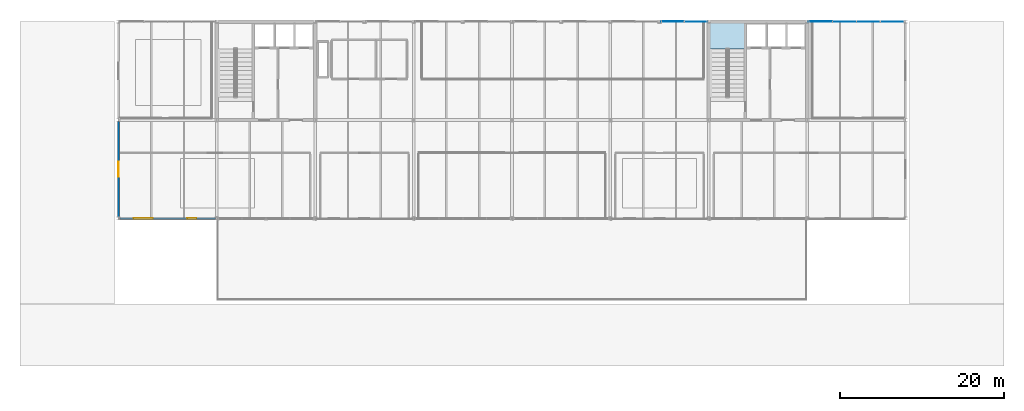
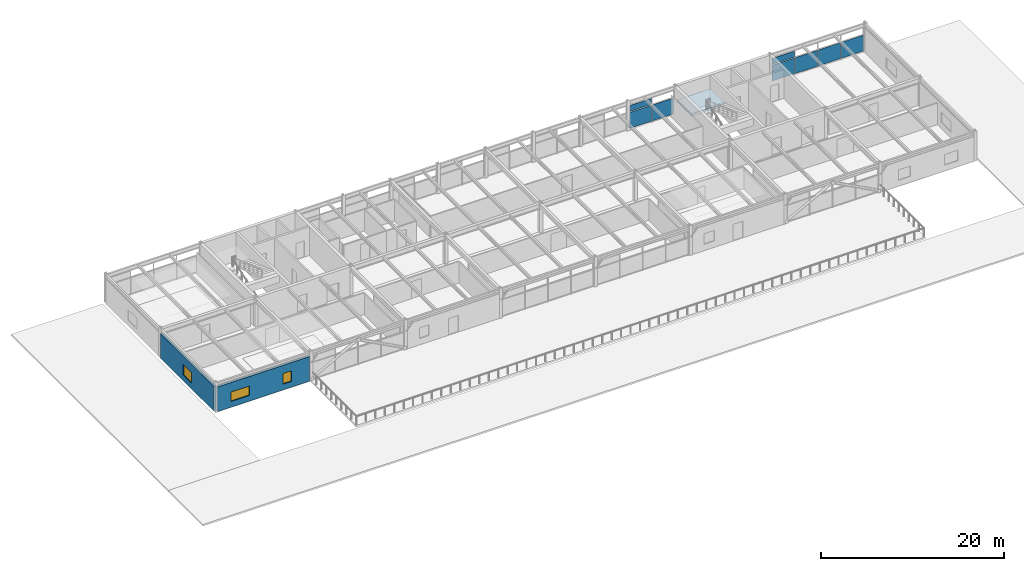
# One storey, part 22 of 30: 8 plates, 3 windows, 2 walls, 1 slab, 3 openings, 3 elements without a shape of their own.
"""IFC4 building model written with IfcOpenShell, lengths in metres."""

from ifc_helpers import new_model, si_unit, direction, frame, frame_2d, origin, origin_2d, place, context, subcontext, project, spatial, polyline, rectangle, outline, extrude, material, layer, layer_set, type_object, element, fill, aggregate, save


model = new_model("IFC4")

# Units and contexts
model_context = context("Model", 3, precision=1e-05, world=origin(), true_north=direction((0.0, 1.0)))
body_context = subcontext(model_context, "Body", "Model", "MODEL_VIEW")
ifc_project = project(units=[si_unit("LENGTHUNIT", "METRE"), si_unit("AREAUNIT", "SQUARE_METRE"), si_unit("VOLUMEUNIT", "CUBIC_METRE"), si_unit("PLANEANGLEUNIT", "RADIAN"), si_unit("MASSUNIT", "GRAM", prefix="KILO")], contexts=[model_context])

# Site, building, storey
site_placement = place(None, origin())
site = spatial("IfcSite", under=ifc_project, at=site_placement, CompositionType="ELEMENT")
building_placement = place(site_placement, origin())
building = spatial("IfcBuilding", under=site, at=building_placement, Name="Girod Span Mobility Hub", CompositionType="ELEMENT")
storey_placement = place(building_placement, frame((0.0, 0.0, 49.60009765625)))
storey = spatial("IfcBuildingStorey", under=building, at=storey_placement, Name="L12", CompositionType="ELEMENT", Elevation=49.60009765625)

# Curtain wall, plate
ifc_material_1 = material(Name="Thermally Broken Anodised Aluminium", Category="aluminium")
curtain_wall_type_1 = type_object("IfcCurtainWallType", Name="CW-562X330", PredefinedType="USERDEFINED", material=ifc_material_1)
curtain_wall_1_placement = place(storey_placement, origin())
curtain_wall_1 = element("IfcCurtainWall", 1, at=curtain_wall_1_placement, inside=storey, type_object=curtain_wall_type_1, Name="Unitised Curtain Wall CW-L12-N09E L12", ObjectType="UNITISED CURTAIN WALL", PredefinedType="USERDEFINED")
ifc_material_2 = material(Name="Double Low-E Insulated Glazing", Category="glass")
ifc_layer_1 = layer(ifc_material_2, 0.0380859375)
ifc_layer_set_1 = layer_set([ifc_layer_1], Name="Double Low-E Insulated Glazing")
plate_type_1 = type_object("IfcPlateType", Name="PLT-SPN-2741X844X38", PredefinedType="CURTAIN_PANEL", material=ifc_layer_set_1)
plate_1_placement = place(storey_placement, frame((103.6005859375, 69.0, 2.376708984375), z_axis=(0.0, 0.0, 1.0), x_axis=(1.0, 0.0, 0.0)))
plate_1 = element("IfcPlate", 2, at=plate_1_placement, type_object=plate_type_1, Name="Spandrel Glazing Panel CW-L12-N09E-S1", PredefinedType="CURTAIN_PANEL", context=body_context, shape_type="SweptSolid", body=[
    extrude(rectangle(XDim=2.747314453125, YDim=0.0380859375, at=origin_2d()), origin(), (0.0, 0.0, 1.0), 0.80419921875),
])

ifc_material_3 = material(Name="Thermally Broken Anodised Aluminium", Category="aluminium")
curtain_wall_type_2 = type_object("IfcCurtainWallType", Name="CW-1164X330", PredefinedType="USERDEFINED", material=ifc_material_3)
curtain_wall_2_placement = place(storey_placement, origin())
curtain_wall_2 = element("IfcCurtainWall", 3, at=curtain_wall_2_placement, inside=storey, type_object=curtain_wall_type_2, Name="Unitised Curtain Wall CW-L12-N11 L12", ObjectType="UNITISED CURTAIN WALL", PredefinedType="USERDEFINED")
ifc_material_4 = material(Name="Double Low-E Insulated Glazing", Category="glass")
ifc_layer_2 = layer(ifc_material_4, 0.0380859375)
ifc_layer_set_2 = layer_set([ifc_layer_2], Name="Double Low-E Insulated Glazing")
plate_type_2 = type_object("IfcPlateType", Name="PLT-SPN-2839X844X38", PredefinedType="CURTAIN_PANEL", material=ifc_layer_set_2)
plate_2_placement = place(storey_placement, frame((121.636962890625, 69.0, 2.376708984375), z_axis=(0.0, 0.0, 1.0), x_axis=(1.0, 0.0, 0.0)))
plate_2 = element("IfcPlate", 4, at=plate_2_placement, type_object=plate_type_2, Name="Spandrel Glazing Panel CW-L12-N11-S1", PredefinedType="CURTAIN_PANEL", context=body_context, shape_type="SweptSolid", body=[
    extrude(rectangle(XDim=2.8447265625, YDim=0.0380859375, at=origin_2d()), origin(), (0.0, 0.0, 1.0), 0.80419921875),
])

# Plate
ifc_material_5 = material(Name="Double Low-E Insulated Glazing", Category="glass")
ifc_layer_3 = layer(ifc_material_5, 0.02587890625)
ifc_layer_set_3 = layer_set([ifc_layer_3], Name="Double Low-E Insulated Glazing")
plate_type_3 = type_object("IfcPlateType", Name="PLT-VIS-2741X2377X26", PredefinedType="CURTAIN_PANEL", material=ifc_layer_set_3)
plate_3_placement = place(storey_placement, frame((103.6005859375, 69.0, 0.139892578125), z_axis=(0.0, 0.0, 1.0), x_axis=(1.0, 0.0, 0.0)))
plate_3 = element("IfcPlate", 5, at=plate_3_placement, type_object=plate_type_3, Name="Vision Glazing Panel CW-L12-N09E-V1", PredefinedType="CURTAIN_PANEL", context=body_context, shape_type="SweptSolid", body=[
    extrude(rectangle(XDim=2.747314453125, YDim=0.02587890625, at=origin_2d()), origin(), (0.0, 0.0, 1.0), 2.11669921875),
])

plate_4_placement = place(storey_placement, frame((106.411865234375, 69.0, 0.139892578125), z_axis=(0.0, 0.0, 1.0), x_axis=(1.0, 0.0, 0.0)))
plate_4 = element("IfcPlate", 6, at=plate_4_placement, type_object=plate_type_3, Name="Vision Glazing Panel CW-L12-N09E-V2", PredefinedType="CURTAIN_PANEL", context=body_context, shape_type="SweptSolid", body=[
    extrude(rectangle(XDim=2.747314453125, YDim=0.02587890625, at=origin_2d()), origin(), (0.0, 0.0, 1.0), 2.11669921875),
])

aggregate(curtain_wall_1, [plate_3, plate_1, plate_4])

ifc_material_6 = material(Name="Double Low-E Insulated Glazing", Category="glass")
ifc_layer_4 = layer(ifc_material_6, 0.02587890625)
ifc_layer_set_4 = layer_set([ifc_layer_4], Name="Double Low-E Insulated Glazing")
plate_type_4 = type_object("IfcPlateType", Name="PLT-VIS-2839X2377X26", PredefinedType="CURTAIN_PANEL", material=ifc_layer_set_4)
plate_5_placement = place(storey_placement, frame((121.636962890625, 69.0, 0.139892578125), z_axis=(0.0, 0.0, 1.0), x_axis=(1.0, 0.0, 0.0)))
plate_5 = element("IfcPlate", 7, at=plate_5_placement, type_object=plate_type_4, Name="Vision Glazing Panel CW-L12-N11-V1", PredefinedType="CURTAIN_PANEL", context=body_context, shape_type="SweptSolid", body=[
    extrude(rectangle(XDim=2.8447265625, YDim=0.02587890625, at=origin_2d()), origin(), (0.0, 0.0, 1.0), 2.11669921875),
])

plate_6_placement = place(storey_placement, frame((124.545654296875, 69.0, 0.139892578125), z_axis=(0.0, 0.0, 1.0), x_axis=(1.0, 0.0, 0.0)))
plate_6 = element("IfcPlate", 8, at=plate_6_placement, type_object=plate_type_4, Name="Vision Glazing Panel CW-L12-N11-V2", PredefinedType="CURTAIN_PANEL", context=body_context, shape_type="SweptSolid", body=[
    extrude(rectangle(XDim=2.8447265625, YDim=0.02587890625, at=origin_2d()), origin(), (0.0, 0.0, 1.0), 2.11669921875),
])

plate_7_placement = place(storey_placement, frame((127.454345703125, 69.0, 0.139892578125), z_axis=(0.0, 0.0, 1.0), x_axis=(1.0, 0.0, 0.0)))
plate_7 = element("IfcPlate", 9, at=plate_7_placement, type_object=plate_type_4, Name="Vision Glazing Panel CW-L12-N11-V3", PredefinedType="CURTAIN_PANEL", context=body_context, shape_type="SweptSolid", body=[
    extrude(rectangle(XDim=2.8447265625, YDim=0.02587890625, at=origin_2d()), origin(), (0.0, 0.0, 1.0), 2.11669921875),
])

plate_8_placement = place(storey_placement, frame((130.363037109375, 69.0, 0.139892578125), z_axis=(0.0, 0.0, 1.0), x_axis=(1.0, 0.0, 0.0)))
plate_8 = element("IfcPlate", 10, at=plate_8_placement, type_object=plate_type_4, Name="Vision Glazing Panel CW-L12-N11-V4", PredefinedType="CURTAIN_PANEL", context=body_context, shape_type="SweptSolid", body=[
    extrude(rectangle(XDim=2.8447265625, YDim=0.02587890625, at=origin_2d()), origin(), (0.0, 0.0, 1.0), 2.11669921875),
])

aggregate(curtain_wall_2, [plate_5, plate_2, plate_6, plate_7, plate_8])

# Stair, slab
ifc_material_7 = material(Name="Concrete C40/50", Category="concrete")
stair_type = type_object("IfcStairType", Name="STR-4000-W1860", PredefinedType="HALF_TURN_STAIR", material=ifc_material_7)
stair_placement = place(storey_placement, origin())
stair = element("IfcStair", 11, at=stair_placement, inside=storey, type_object=stair_type, Name="Exit Stair ST-2 L12", PredefinedType="HALF_TURN_STAIR")
ifc_material_8 = material(Name="Concrete C40/50", Category="concrete")
ifc_layer_5 = layer(ifc_material_8, 0.35498046875)
ifc_layer_set_5 = layer_set([ifc_layer_5], Name="Concrete C40/50")
slab_type = type_object("IfcSlabType", Name="SL-LND-355", PredefinedType="LANDING", material=ifc_layer_set_5)
slab_placement = place(storey_placement, frame((0.0, 0.0, 1.64501953125)))
slab = element("IfcSlab", 12, at=slab_placement, type_object=slab_type, Name="Stair ST-2 Half-Landing L12", PredefinedType="LANDING", context=body_context, shape_type="SweptSolid", body=[
    extrude(outline(polyline([(112.3349609375, 65.68603515625), (112.3349609375, 68.8349609375), (108.1650390625, 68.8349609375), (108.1650390625, 65.68603515625), (112.3349609375, 65.68603515625)])), origin(), (0.0, 0.0, 1.0), 0.35498046875),
])
aggregate(stair, [slab])

# Wall, openings, windows
ifc_material_9 = material(Name="Precast Architectural Concrete C40/50", Category="concrete")
ifc_layer_6 = layer(ifc_material_9, 0.27001953125)
ifc_layer_set_6 = layer_set([ifc_layer_6], Name="Precast Architectural Concrete C40/50")
wall_type = type_object("IfcWallType", Name="W-EXT-270", PredefinedType="SOLIDWALL", material=ifc_layer_set_6)
wall_1_placement = place(storey_placement, frame((36.1826171875, 45.0, 0.0), z_axis=(0.0, 0.0, 1.0), x_axis=(1.0, 0.0, 0.0)))
wall_1 = element("IfcWall", 13, at=wall_1_placement, inside=storey, type_object=wall_type, Name="Office Insulated Facade Wall S-4 L12", PredefinedType="SOLIDWALL", context=body_context, shape_type="SweptSolid", body=[
    extrude(rectangle(XDim=11.634765625, YDim=0.27001953125, at=frame_2d((5.8173828125, 0.0))), origin(), (0.0, 0.0, 1.0), 3.30078125),
])
opening_1_placement = place(wall_1_placement, frame((1.675048828125, 0.0, 0.780029296875)))
opening_1 = element("IfcOpeningElement", 14, at=opening_1_placement, cuts=wall_1, Name="Opening W-L12-S3A", PredefinedType="OPENING", context=body_context, shape_type="SweptSolid", body=[
    extrude(rectangle(XDim=2.35009765625, YDim=1.25, at=frame_2d((1.175048828125, 0.625))), frame((0.0, 0.14990234375, 0.0), z_axis=(0.0, -1.0, 0.0), x_axis=(1.0, 0.0, 0.0)), (0.0, 0.0, 1.0), 0.300048828125),
])
opening_2_placement = place(wall_1_placement, frame((8.235107421875, 0.0, 0.780029296875)))
opening_2 = element("IfcOpeningElement", 15, at=opening_2_placement, cuts=wall_1, Name="Opening W-L12-S3B", PredefinedType="OPENING", context=body_context, shape_type="SweptSolid", body=[
    extrude(rectangle(XDim=1.10009765625, YDim=1.419921875, at=frame_2d((0.550048828125, 0.7099609375))), frame((0.0, 0.14990234375, 0.0), z_axis=(0.0, -1.0, 0.0), x_axis=(1.0, 0.0, 0.0)), (0.0, 0.0, 1.0), 0.300048828125),
])
ifc_material_10 = material(Name="Double Low-E Insulated Glazing", Category="glass")
window_type_1 = type_object("IfcWindowType", Name="WN-10", PartitioningType="DOUBLE_PANEL_VERTICAL", PredefinedType="WINDOW", material=ifc_material_10)
window_1_placement = place(opening_1_placement, origin())
window_1 = element("IfcWindow", 16, at=window_1_placement, inside=storey, type_object=window_type_1, Name="Office Window WN-10", OverallHeight=1.25, OverallWidth=2.35009765625, PartitioningType="DOUBLE_PANEL_VERTICAL", PredefinedType="WINDOW", context=body_context, shape_type="SweptSolid", body=[
    extrude(rectangle(XDim=2.35009765625, YDim=1.25, at=frame_2d((1.175048828125, 0.625))), frame((0.0, 0.030029296875, 0.0), z_axis=(0.0, -1.0, 0.0), x_axis=(1.0, 0.0, 0.0)), (0.0, 0.0, 1.0), 0.06005859375),
])
fill(opening_1, window_1)
ifc_material_11 = material(Name="Double Low-E Insulated Glazing", Category="glass")
window_type_2 = type_object("IfcWindowType", Name="WN-11", PartitioningType="SINGLE_PANEL", PredefinedType="WINDOW", material=ifc_material_11)
window_2_placement = place(opening_2_placement, origin())
window_2 = element("IfcWindow", 17, at=window_2_placement, inside=storey, type_object=window_type_2, Name="Office Window WN-11", OverallHeight=1.419921875, OverallWidth=1.10009765625, PartitioningType="SINGLE_PANEL", PredefinedType="WINDOW", context=body_context, shape_type="SweptSolid", body=[
    extrude(rectangle(XDim=1.10009765625, YDim=1.419921875, at=frame_2d((0.550048828125, 0.7099609375))), frame((0.0, 0.030029296875, 0.0), z_axis=(0.0, -1.0, 0.0), x_axis=(1.0, 0.0, 0.0)), (0.0, 0.0, 1.0), 0.06005859375),
])
fill(opening_2, window_2)

# Wall, opening, window
wall_2_placement = place(storey_placement, frame((36.0, 45.176025390625, 0.0), z_axis=(0.0, 0.0, 1.0), x_axis=(0.0, 1.0, 0.0)))
wall_2 = element("IfcWall", 18, at=wall_2_placement, inside=storey, type_object=wall_type, Name="End Facade Insulated Wall W-D L12", PredefinedType="SOLIDWALL", context=body_context, shape_type="SweptSolid", body=[
    extrude(rectangle(XDim=11.64794921875, YDim=0.27001953125, at=frame_2d((5.823974609375, 0.0))), origin(), (0.0, 0.0, 1.0), 3.30078125),
])
opening_3_placement = place(wall_2_placement, frame((4.904052734375, 0.0, 0.780029296875)))
opening_3 = element("IfcOpeningElement", 19, at=opening_3_placement, cuts=wall_2, Name="Opening W-L12-W3", PredefinedType="OPENING", context=body_context, shape_type="SweptSolid", body=[
    extrude(rectangle(XDim=1.840087890625, YDim=1.419921875, at=frame_2d((0.919921875, 0.7099609375))), frame((0.0, 0.14990234375, 0.0), z_axis=(0.0, -1.0, 0.0), x_axis=(1.0, 0.0, 0.0)), (0.0, 0.0, 1.0), 0.300048828125),
])
ifc_material_12 = material(Name="Double Low-E Insulated Glazing", Category="glass")
window_type_3 = type_object("IfcWindowType", Name="WN-16", PartitioningType="DOUBLE_PANEL_VERTICAL", PredefinedType="WINDOW", material=ifc_material_12)
window_3_placement = place(opening_3_placement, origin())
window_3 = element("IfcWindow", 20, at=window_3_placement, inside=storey, type_object=window_type_3, Name="End Office Window WN-16", OverallHeight=1.419921875, OverallWidth=1.840087890625, PartitioningType="DOUBLE_PANEL_VERTICAL", PredefinedType="WINDOW", context=body_context, shape_type="SweptSolid", body=[
    extrude(rectangle(XDim=1.840087890625, YDim=1.419921875, at=frame_2d((0.919921875, 0.7099609375))), frame((0.0, 0.030029296875, 0.0), z_axis=(0.0, -1.0, 0.0), x_axis=(1.0, 0.0, 0.0)), (0.0, 0.0, 1.0), 0.06005859375),
])
fill(opening_3, window_3)

save(model, "model.ifc")
